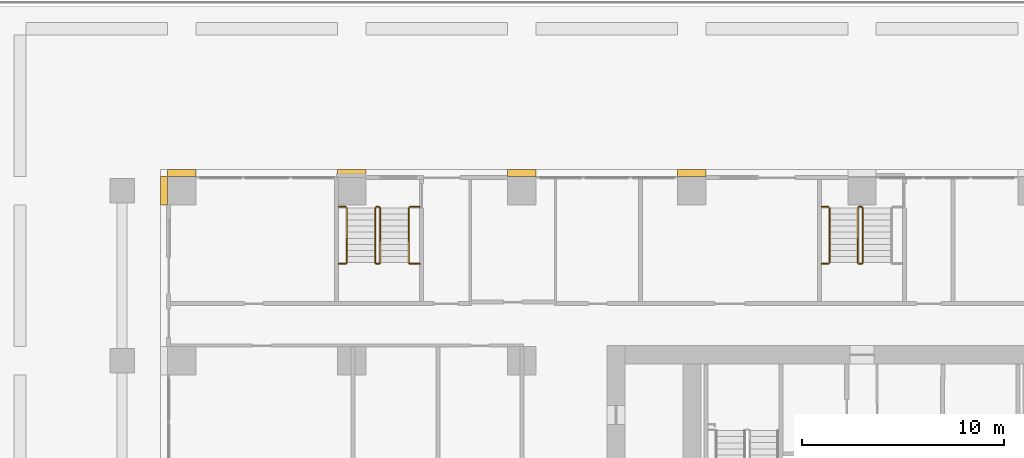
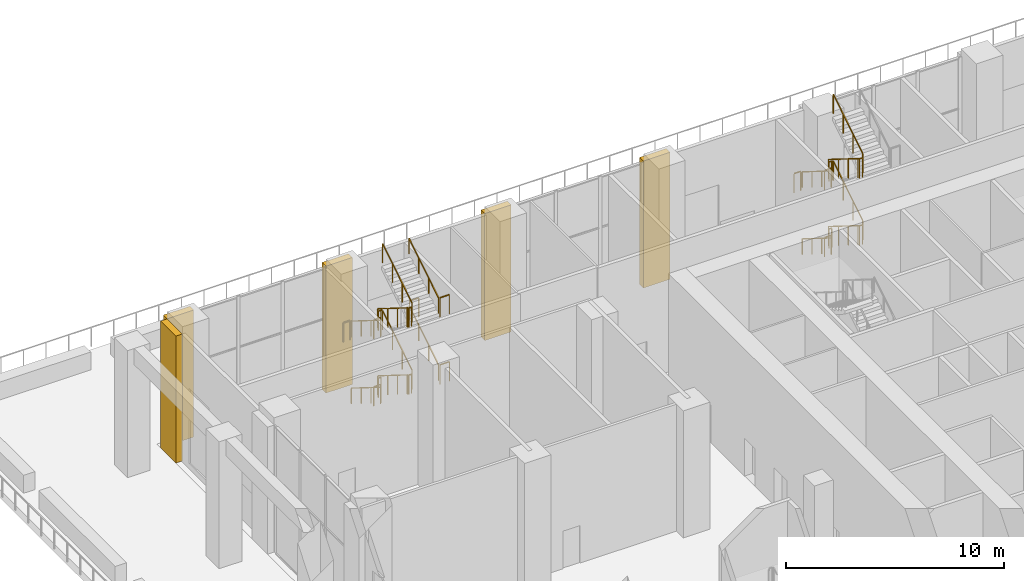
# One storey, part 50 of 53: 25 railings, 5 coverings.
"""IFC4 building model written with IfcOpenShell, lengths in metres."""

from ifc_helpers import new_model, si_unit, direction, frame, origin, origin_2d, place, context, subcontext, project, spatial, polyline, rectangle, outline, extrude, material, type_object, element, save


model = new_model("IFC4")

# Units and contexts
model_context = context("Model", 3, precision=1e-05, world=origin(), true_north=direction((0.0, 1.0)))
body_context = subcontext(model_context, "Body", "Model", "MODEL_VIEW")
ifc_project = project(units=[si_unit("LENGTHUNIT", "METRE"), si_unit("AREAUNIT", "SQUARE_METRE"), si_unit("VOLUMEUNIT", "CUBIC_METRE"), si_unit("PLANEANGLEUNIT", "RADIAN"), si_unit("MASSUNIT", "GRAM", prefix="KILO")], contexts=[model_context])

# Site, building, storey
site_placement = place(None, origin())
site = spatial("IfcSite", under=ifc_project, at=site_placement, CompositionType="ELEMENT")
building_placement = place(site_placement, origin())
building = spatial("IfcBuilding", under=site, at=building_placement, Name="Vermilion Ogive Tower", CompositionType="ELEMENT")
storey_placement = place(building_placement, origin())
storey = spatial("IfcBuildingStorey", under=building, at=storey_placement, Name="L00", CompositionType="ELEMENT", Elevation=0.0)

# Railings
ifc_material_1 = material(Name="Steel S355 painted", Category="steel")
railing_type_1 = type_object("IfcRailingType", Name="Stair guard 1100", PredefinedType="GUARDRAIL", material=ifc_material_1)
railing_1_placement = place(storey_placement, frame((-24.050048828125, 28.550048828125, 0.1875)))
element("IfcRailing", 1, at=railing_1_placement, inside=storey, type_object=railing_type_1, Name="L00 PS1 stair guard 1", PredefinedType="GUARDRAIL", context=body_context, shape_type="SweptSolid", body=[
    extrude(rectangle(XDim=0.048095703125, YDim=0.048095703125, at=origin_2d()), frame((0.0, 0.0, 1.076171875), z_axis=(0.0, -0.847993996163, 0.530005832488), x_axis=(1.0, 0.0, 0.0)), (0.0, 0.0, 1.0), 3.183837890625),
    extrude(rectangle(XDim=0.048095703125, YDim=0.048095703125, at=origin_2d()), frame((0.0, -2.699951171875, 2.763671875), z_axis=(0.707106781187, -0.707106781187, 0.0), x_axis=(0.707106781187, 0.707106781187, 0.0)), (0.0, 0.0, 1.0), 0.07080078125),
    extrude(rectangle(XDim=0.048095703125, YDim=0.048095703125, at=origin_2d()), frame((0.050048828125, -2.75, 2.763671875), z_axis=(1.0, 0.0, 0.0), x_axis=(0.0, 1.0, 0.0)), (0.0, 0.0, 1.0), 0.14990234375),
    extrude(rectangle(XDim=0.0419921875, YDim=0.0419921875, at=origin_2d()), origin(), (0.0, 0.0, 1.0), 1.052001953125),
    extrude(rectangle(XDim=0.0419921875, YDim=0.0419921875, at=origin_2d()), frame((0.0, -0.89990234375, 0.5625)), (0.0, 0.0, 1.0), 1.052001953125),
    extrude(rectangle(XDim=0.0419921875, YDim=0.0419921875, at=origin_2d()), frame((0.0, -1.800048828125, 1.125)), (0.0, 0.0, 1.0), 1.052001953125),
    extrude(rectangle(XDim=0.0419921875, YDim=0.0419921875, at=origin_2d()), frame((0.0, -2.699951171875, 1.6875)), (0.0, 0.0, 1.0), 1.052001953125),
    extrude(rectangle(XDim=0.0419921875, YDim=0.0419921875, at=origin_2d()), frame((0.050048828125, -2.75, 1.6875)), (0.0, 0.0, 1.0), 1.052001953125),
    extrude(rectangle(XDim=0.0419921875, YDim=0.0419921875, at=origin_2d()), frame((0.199951171875, -2.75, 1.6875)), (0.0, 0.0, 1.0), 1.052001953125),
])
railing_2_placement = place(storey_placement, frame((-23.800048828125, 25.85009765625, 2.0625)))
element("IfcRailing", 2, at=railing_2_placement, inside=storey, type_object=railing_type_1, Name="L00 PS1 stair guard 3", PredefinedType="GUARDRAIL", context=body_context, shape_type="SweptSolid", body=[
    extrude(rectangle(XDim=0.048095703125, YDim=0.048095703125, at=origin_2d()), frame((0.0, 0.0, 1.076171875), z_axis=(0.0, 0.847993996163, 0.530005832488), x_axis=(-1.0, 0.0, 0.0)), (0.0, 0.0, 1.0), 3.183837890625),
    extrude(rectangle(XDim=0.048095703125, YDim=0.048095703125, at=origin_2d()), frame((0.0, 2.699951171875, 2.763671875), z_axis=(-0.707106781187, 0.707106781187, 0.0), x_axis=(-0.707106781187, -0.707106781187, 0.0)), (0.0, 0.0, 1.0), 0.07080078125),
    extrude(rectangle(XDim=0.048095703125, YDim=0.048095703125, at=origin_2d()), frame((-0.050048828125, 2.75, 2.763671875), z_axis=(-1.0, 0.0, 0.0), x_axis=(0.0, -1.0, 0.0)), (0.0, 0.0, 1.0), 0.14990234375),
    extrude(rectangle(XDim=0.0419921875, YDim=0.0419921875, at=origin_2d()), origin(), (0.0, 0.0, 1.0), 1.052001953125),
    extrude(rectangle(XDim=0.0419921875, YDim=0.0419921875, at=origin_2d()), frame((0.0, 0.89990234375, 0.5625)), (0.0, 0.0, 1.0), 1.052001953125),
    extrude(rectangle(XDim=0.0419921875, YDim=0.0419921875, at=origin_2d()), frame((0.0, 1.800048828125, 1.125)), (0.0, 0.0, 1.0), 1.052001953125),
    extrude(rectangle(XDim=0.0419921875, YDim=0.0419921875, at=origin_2d()), frame((0.0, 2.699951171875, 1.6875)), (0.0, 0.0, 1.0), 1.052001953125),
    extrude(rectangle(XDim=0.0419921875, YDim=0.0419921875, at=origin_2d()), frame((-0.050048828125, 2.75, 1.6875)), (0.0, 0.0, 1.0), 1.052001953125),
    extrude(rectangle(XDim=0.0419921875, YDim=0.0419921875, at=origin_2d()), frame((-0.199951171875, 2.75, 1.6875)), (0.0, 0.0, 1.0), 1.052001953125),
])
railing_3_placement = place(storey_placement, frame((-24.050048828125, 28.550048828125, 3.9375)))
element("IfcRailing", 3, at=railing_3_placement, inside=storey, type_object=railing_type_1, Name="L00 PS1 stair guard 5", PredefinedType="GUARDRAIL", context=body_context, shape_type="SweptSolid", body=[
    extrude(rectangle(XDim=0.048095703125, YDim=0.048095703125, at=origin_2d()), frame((0.0, 0.0, 1.076171875), z_axis=(0.0, -0.847993996163, 0.530005832488), x_axis=(1.0, 0.0, 0.0)), (0.0, 0.0, 1.0), 3.183837890625),
    extrude(rectangle(XDim=0.048095703125, YDim=0.048095703125, at=origin_2d()), frame((0.0, -2.699951171875, 2.763671875), z_axis=(0.707106781187, -0.707106781187, 0.0), x_axis=(0.707106781187, 0.707106781187, 0.0)), (0.0, 0.0, 1.0), 0.07080078125),
    extrude(rectangle(XDim=0.048095703125, YDim=0.048095703125, at=origin_2d()), frame((0.050048828125, -2.75, 2.763671875), z_axis=(1.0, 0.0, 0.0), x_axis=(0.0, 1.0, 0.0)), (0.0, 0.0, 1.0), 0.14990234375),
    extrude(rectangle(XDim=0.0419921875, YDim=0.0419921875, at=origin_2d()), origin(), (0.0, 0.0, 1.0), 1.052001953125),
    extrude(rectangle(XDim=0.0419921875, YDim=0.0419921875, at=origin_2d()), frame((0.0, -0.89990234375, 0.5625)), (0.0, 0.0, 1.0), 1.052001953125),
    extrude(rectangle(XDim=0.0419921875, YDim=0.0419921875, at=origin_2d()), frame((0.0, -1.800048828125, 1.125)), (0.0, 0.0, 1.0), 1.052001953125),
    extrude(rectangle(XDim=0.0419921875, YDim=0.0419921875, at=origin_2d()), frame((0.0, -2.699951171875, 1.6875)), (0.0, 0.0, 1.0), 1.052001953125),
    extrude(rectangle(XDim=0.0419921875, YDim=0.0419921875, at=origin_2d()), frame((0.050048828125, -2.75, 1.6875)), (0.0, 0.0, 1.0), 1.052001953125),
    extrude(rectangle(XDim=0.0419921875, YDim=0.0419921875, at=origin_2d()), frame((0.199951171875, -2.75, 1.6875)), (0.0, 0.0, 1.0), 1.052001953125),
])
railing_4_placement = place(storey_placement, frame((-23.800048828125, 25.85009765625, 5.8125)))
element("IfcRailing", 4, at=railing_4_placement, inside=storey, type_object=railing_type_1, Name="L00 PS1 stair guard 7", PredefinedType="GUARDRAIL", context=body_context, shape_type="SweptSolid", body=[
    extrude(rectangle(XDim=0.048095703125, YDim=0.048095703125, at=origin_2d()), frame((0.0, 0.0, 1.076171875), z_axis=(0.0, 0.847993996163, 0.530005832488), x_axis=(-1.0, 0.0, 0.0)), (0.0, 0.0, 1.0), 3.183837890625),
    extrude(rectangle(XDim=0.0419921875, YDim=0.0419921875, at=origin_2d()), origin(), (0.0, 0.0, 1.0), 1.052001953125),
    extrude(rectangle(XDim=0.0419921875, YDim=0.0419921875, at=origin_2d()), frame((0.0, 0.89990234375, 0.5625)), (0.0, 0.0, 1.0), 1.052001953125),
    extrude(rectangle(XDim=0.0419921875, YDim=0.0419921875, at=origin_2d()), frame((0.0, 1.800048828125, 1.125)), (0.0, 0.0, 1.0), 1.052001953125),
    extrude(rectangle(XDim=0.0419921875, YDim=0.0419921875, at=origin_2d()), frame((0.0, 2.699951171875, 1.6875)), (0.0, 0.0, 1.0), 1.052001953125),
])
railing_5_placement = place(storey_placement, frame((-24.0, 28.60009765625, 0.0)))
element("IfcRailing", 5, at=railing_5_placement, inside=storey, type_object=railing_type_1, Name="L00 PS1 stair guard 8", PredefinedType="GUARDRAIL", context=body_context, shape_type="SweptSolid", body=[
    extrude(rectangle(XDim=0.048095703125, YDim=0.048095703125, at=origin_2d()), frame((0.0, 0.0, 1.076171875), z_axis=(1.0, 0.0, 0.0), x_axis=(0.0, 1.0, 0.0)), (0.0, 0.0, 1.0), 0.14990234375),
    extrude(rectangle(XDim=0.0419921875, YDim=0.0419921875, at=origin_2d()), origin(), (0.0, 0.0, 1.0), 1.052001953125),
    extrude(rectangle(XDim=0.0419921875, YDim=0.0419921875, at=origin_2d()), frame((0.14990234375, 0.0, 0.0)), (0.0, 0.0, 1.0), 1.052001953125),
])
railing_6_placement = place(storey_placement, frame((-0.199951171875, 28.550048828125, 0.1875)))
element("IfcRailing", 6, at=railing_6_placement, inside=storey, type_object=railing_type_1, Name="L00 PS5 stair guard 1", PredefinedType="GUARDRAIL", context=body_context, shape_type="SweptSolid", body=[
    extrude(rectangle(XDim=0.048095703125, YDim=0.048095703125, at=origin_2d()), frame((0.0, 0.0, 1.076171875), z_axis=(0.0, -0.847993996163, 0.530005832488), x_axis=(1.0, 0.0, 0.0)), (0.0, 0.0, 1.0), 3.183837890625),
    extrude(rectangle(XDim=0.048095703125, YDim=0.048095703125, at=origin_2d()), frame((0.0, -2.699951171875, 2.763671875), z_axis=(0.707106781187, -0.707106781187, 0.0), x_axis=(0.707106781187, 0.707106781187, 0.0)), (0.0, 0.0, 1.0), 0.07080078125),
    extrude(rectangle(XDim=0.048095703125, YDim=0.048095703125, at=origin_2d()), frame((0.050048828125, -2.75, 2.763671875), z_axis=(1.0, 0.0, 0.0), x_axis=(0.0, 1.0, 0.0)), (0.0, 0.0, 1.0), 0.14990234375),
    extrude(rectangle(XDim=0.0419921875, YDim=0.0419921875, at=origin_2d()), origin(), (0.0, 0.0, 1.0), 1.052001953125),
    extrude(rectangle(XDim=0.0419921875, YDim=0.0419921875, at=origin_2d()), frame((0.0, -0.89990234375, 0.5625)), (0.0, 0.0, 1.0), 1.052001953125),
    extrude(rectangle(XDim=0.0419921875, YDim=0.0419921875, at=origin_2d()), frame((0.0, -1.800048828125, 1.125)), (0.0, 0.0, 1.0), 1.052001953125),
    extrude(rectangle(XDim=0.0419921875, YDim=0.0419921875, at=origin_2d()), frame((0.0, -2.699951171875, 1.6875)), (0.0, 0.0, 1.0), 1.052001953125),
    extrude(rectangle(XDim=0.0419921875, YDim=0.0419921875, at=origin_2d()), frame((0.050048828125, -2.75, 1.6875)), (0.0, 0.0, 1.0), 1.052001953125),
    extrude(rectangle(XDim=0.0419921875, YDim=0.0419921875, at=origin_2d()), frame((0.199951171875, -2.75, 1.6875)), (0.0, 0.0, 1.0), 1.052001953125),
])
railing_7_placement = place(storey_placement, frame((0.050048828125, 25.85009765625, 2.0625)))
element("IfcRailing", 7, at=railing_7_placement, inside=storey, type_object=railing_type_1, Name="L00 PS5 stair guard 3", PredefinedType="GUARDRAIL", context=body_context, shape_type="SweptSolid", body=[
    extrude(rectangle(XDim=0.048095703125, YDim=0.048095703125, at=origin_2d()), frame((0.0, 0.0, 1.076171875), z_axis=(0.0, 0.847993996163, 0.530005832488), x_axis=(-1.0, 0.0, 0.0)), (0.0, 0.0, 1.0), 3.183837890625),
    extrude(rectangle(XDim=0.048095703125, YDim=0.048095703125, at=origin_2d()), frame((0.0, 2.699951171875, 2.763671875), z_axis=(-0.707106781187, 0.707106781187, 0.0), x_axis=(-0.707106781187, -0.707106781187, 0.0)), (0.0, 0.0, 1.0), 0.07080078125),
    extrude(rectangle(XDim=0.048095703125, YDim=0.048095703125, at=origin_2d()), frame((-0.050048828125, 2.75, 2.763671875), z_axis=(-1.0, 0.0, 0.0), x_axis=(0.0, -1.0, 0.0)), (0.0, 0.0, 1.0), 0.14990234375),
    extrude(rectangle(XDim=0.0419921875, YDim=0.0419921875, at=origin_2d()), origin(), (0.0, 0.0, 1.0), 1.052001953125),
    extrude(rectangle(XDim=0.0419921875, YDim=0.0419921875, at=origin_2d()), frame((0.0, 0.89990234375, 0.5625)), (0.0, 0.0, 1.0), 1.052001953125),
    extrude(rectangle(XDim=0.0419921875, YDim=0.0419921875, at=origin_2d()), frame((0.0, 1.800048828125, 1.125)), (0.0, 0.0, 1.0), 1.052001953125),
    extrude(rectangle(XDim=0.0419921875, YDim=0.0419921875, at=origin_2d()), frame((0.0, 2.699951171875, 1.6875)), (0.0, 0.0, 1.0), 1.052001953125),
    extrude(rectangle(XDim=0.0419921875, YDim=0.0419921875, at=origin_2d()), frame((-0.050048828125, 2.75, 1.6875)), (0.0, 0.0, 1.0), 1.052001953125),
    extrude(rectangle(XDim=0.0419921875, YDim=0.0419921875, at=origin_2d()), frame((-0.199951171875, 2.75, 1.6875)), (0.0, 0.0, 1.0), 1.052001953125),
])
railing_8_placement = place(storey_placement, frame((-0.199951171875, 28.550048828125, 3.9375)))
element("IfcRailing", 8, at=railing_8_placement, inside=storey, type_object=railing_type_1, Name="L00 PS5 stair guard 5", PredefinedType="GUARDRAIL", context=body_context, shape_type="SweptSolid", body=[
    extrude(rectangle(XDim=0.048095703125, YDim=0.048095703125, at=origin_2d()), frame((0.0, 0.0, 1.076171875), z_axis=(0.0, -0.847993996163, 0.530005832488), x_axis=(1.0, 0.0, 0.0)), (0.0, 0.0, 1.0), 3.183837890625),
    extrude(rectangle(XDim=0.048095703125, YDim=0.048095703125, at=origin_2d()), frame((0.0, -2.699951171875, 2.763671875), z_axis=(0.707106781187, -0.707106781187, 0.0), x_axis=(0.707106781187, 0.707106781187, 0.0)), (0.0, 0.0, 1.0), 0.07080078125),
    extrude(rectangle(XDim=0.048095703125, YDim=0.048095703125, at=origin_2d()), frame((0.050048828125, -2.75, 2.763671875), z_axis=(1.0, 0.0, 0.0), x_axis=(0.0, 1.0, 0.0)), (0.0, 0.0, 1.0), 0.14990234375),
    extrude(rectangle(XDim=0.0419921875, YDim=0.0419921875, at=origin_2d()), origin(), (0.0, 0.0, 1.0), 1.052001953125),
    extrude(rectangle(XDim=0.0419921875, YDim=0.0419921875, at=origin_2d()), frame((0.0, -0.89990234375, 0.5625)), (0.0, 0.0, 1.0), 1.052001953125),
    extrude(rectangle(XDim=0.0419921875, YDim=0.0419921875, at=origin_2d()), frame((0.0, -1.800048828125, 1.125)), (0.0, 0.0, 1.0), 1.052001953125),
    extrude(rectangle(XDim=0.0419921875, YDim=0.0419921875, at=origin_2d()), frame((0.0, -2.699951171875, 1.6875)), (0.0, 0.0, 1.0), 1.052001953125),
    extrude(rectangle(XDim=0.0419921875, YDim=0.0419921875, at=origin_2d()), frame((0.050048828125, -2.75, 1.6875)), (0.0, 0.0, 1.0), 1.052001953125),
    extrude(rectangle(XDim=0.0419921875, YDim=0.0419921875, at=origin_2d()), frame((0.199951171875, -2.75, 1.6875)), (0.0, 0.0, 1.0), 1.052001953125),
])
railing_9_placement = place(storey_placement, frame((0.050048828125, 25.85009765625, 5.8125)))
element("IfcRailing", 9, at=railing_9_placement, inside=storey, type_object=railing_type_1, Name="L00 PS5 stair guard 7", PredefinedType="GUARDRAIL", context=body_context, shape_type="SweptSolid", body=[
    extrude(rectangle(XDim=0.048095703125, YDim=0.048095703125, at=origin_2d()), frame((0.0, 0.0, 1.076171875), z_axis=(0.0, 0.847993996163, 0.530005832488), x_axis=(-1.0, 0.0, 0.0)), (0.0, 0.0, 1.0), 3.183837890625),
    extrude(rectangle(XDim=0.0419921875, YDim=0.0419921875, at=origin_2d()), origin(), (0.0, 0.0, 1.0), 1.052001953125),
    extrude(rectangle(XDim=0.0419921875, YDim=0.0419921875, at=origin_2d()), frame((0.0, 0.89990234375, 0.5625)), (0.0, 0.0, 1.0), 1.052001953125),
    extrude(rectangle(XDim=0.0419921875, YDim=0.0419921875, at=origin_2d()), frame((0.0, 1.800048828125, 1.125)), (0.0, 0.0, 1.0), 1.052001953125),
    extrude(rectangle(XDim=0.0419921875, YDim=0.0419921875, at=origin_2d()), frame((0.0, 2.699951171875, 1.6875)), (0.0, 0.0, 1.0), 1.052001953125),
])
railing_10_placement = place(storey_placement, frame((-0.14990234375, 28.60009765625, 0.0)))
element("IfcRailing", 10, at=railing_10_placement, inside=storey, type_object=railing_type_1, Name="L00 PS5 stair guard 8", PredefinedType="GUARDRAIL", context=body_context, shape_type="SweptSolid", body=[
    extrude(rectangle(XDim=0.048095703125, YDim=0.048095703125, at=origin_2d()), frame((0.0, 0.0, 1.076171875), z_axis=(1.0, 0.0, 0.0), x_axis=(0.0, 1.0, 0.0)), (0.0, 0.0, 1.0), 0.14990234375),
    extrude(rectangle(XDim=0.0419921875, YDim=0.0419921875, at=origin_2d()), origin(), (0.0, 0.0, 1.0), 1.052001953125),
    extrude(rectangle(XDim=0.0419921875, YDim=0.0419921875, at=origin_2d()), frame((0.14990234375, 0.0, 0.0)), (0.0, 0.0, 1.0), 1.052001953125),
])
railing_11_placement = place(storey_placement, frame((-25.849853515625, 25.800048828125, 1.875)))
element("IfcRailing", 11, at=railing_11_placement, inside=storey, type_object=railing_type_1, Name="L00 landing guard", PredefinedType="GUARDRAIL", context=body_context, shape_type="SweptSolid", body=[
    extrude(rectangle(XDim=0.048095703125, YDim=0.048095703125, at=origin_2d()), frame((0.0, 0.0, 1.076171875), z_axis=(1.0, 0.0, 0.0), x_axis=(0.0, 1.0, 0.0)), (0.0, 0.0, 1.0), 0.349853515625),
    extrude(rectangle(XDim=0.0419921875, YDim=0.0419921875, at=origin_2d()), origin(), (0.0, 0.0, 1.0), 1.052001953125),
    extrude(rectangle(XDim=0.0419921875, YDim=0.0419921875, at=origin_2d()), frame((0.349853515625, 0.0, 0.0)), (0.0, 0.0, 1.0), 1.052001953125),
])
railing_12_placement = place(storey_placement, frame((-22.35009765625, 25.800048828125, 1.875)))
element("IfcRailing", 12, at=railing_12_placement, inside=storey, type_object=railing_type_1, Name="L00 landing guard", PredefinedType="GUARDRAIL", context=body_context, shape_type="SweptSolid", body=[
    extrude(rectangle(XDim=0.048095703125, YDim=0.048095703125, at=origin_2d()), frame((0.0, 0.0, 1.076171875), z_axis=(1.0, 0.0, 0.0), x_axis=(0.0, 1.0, 0.0)), (0.0, 0.0, 1.0), 0.5),
    extrude(rectangle(XDim=0.0419921875, YDim=0.0419921875, at=origin_2d()), origin(), (0.0, 0.0, 1.0), 1.052001953125),
    extrude(rectangle(XDim=0.0419921875, YDim=0.0419921875, at=origin_2d()), frame((0.5, 0.0, 0.0)), (0.0, 0.0, 1.0), 1.052001953125),
])
railing_13_placement = place(storey_placement, frame((-25.849853515625, 28.60009765625, 3.75)))
element("IfcRailing", 13, at=railing_13_placement, inside=storey, type_object=railing_type_1, Name="L00 landing guard", PredefinedType="GUARDRAIL", context=body_context, shape_type="SweptSolid", body=[
    extrude(rectangle(XDim=0.048095703125, YDim=0.048095703125, at=origin_2d()), frame((0.0, 0.0, 1.076171875), z_axis=(1.0, 0.0, 0.0), x_axis=(0.0, 1.0, 0.0)), (0.0, 0.0, 1.0), 0.349853515625),
    extrude(rectangle(XDim=0.0419921875, YDim=0.0419921875, at=origin_2d()), origin(), (0.0, 0.0, 1.0), 1.052001953125),
    extrude(rectangle(XDim=0.0419921875, YDim=0.0419921875, at=origin_2d()), frame((0.349853515625, 0.0, 0.0)), (0.0, 0.0, 1.0), 1.052001953125),
])
railing_14_placement = place(storey_placement, frame((-22.35009765625, 28.60009765625, 3.75)))
element("IfcRailing", 14, at=railing_14_placement, inside=storey, type_object=railing_type_1, Name="L00 landing guard", PredefinedType="GUARDRAIL", context=body_context, shape_type="SweptSolid", body=[
    extrude(rectangle(XDim=0.048095703125, YDim=0.048095703125, at=origin_2d()), frame((0.0, 0.0, 1.076171875), z_axis=(1.0, 0.0, 0.0), x_axis=(0.0, 1.0, 0.0)), (0.0, 0.0, 1.0), 0.5),
    extrude(rectangle(XDim=0.0419921875, YDim=0.0419921875, at=origin_2d()), origin(), (0.0, 0.0, 1.0), 1.052001953125),
    extrude(rectangle(XDim=0.0419921875, YDim=0.0419921875, at=origin_2d()), frame((0.5, 0.0, 0.0)), (0.0, 0.0, 1.0), 1.052001953125),
])
railing_15_placement = place(storey_placement, frame((-25.849853515625, 25.800048828125, 5.625)))
element("IfcRailing", 15, at=railing_15_placement, inside=storey, type_object=railing_type_1, Name="L00 landing guard", PredefinedType="GUARDRAIL", context=body_context, shape_type="SweptSolid", body=[
    extrude(rectangle(XDim=0.048095703125, YDim=0.048095703125, at=origin_2d()), frame((0.0, 0.0, 1.076171875), z_axis=(1.0, 0.0, 0.0), x_axis=(0.0, 1.0, 0.0)), (0.0, 0.0, 1.0), 0.349853515625),
    extrude(rectangle(XDim=0.0419921875, YDim=0.0419921875, at=origin_2d()), origin(), (0.0, 0.0, 1.0), 1.052001953125),
    extrude(rectangle(XDim=0.0419921875, YDim=0.0419921875, at=origin_2d()), frame((0.349853515625, 0.0, 0.0)), (0.0, 0.0, 1.0), 1.052001953125),
])
railing_16_placement = place(storey_placement, frame((-22.35009765625, 25.800048828125, 5.625)))
element("IfcRailing", 16, at=railing_16_placement, inside=storey, type_object=railing_type_1, Name="L00 landing guard", PredefinedType="GUARDRAIL", context=body_context, shape_type="SweptSolid", body=[
    extrude(rectangle(XDim=0.048095703125, YDim=0.048095703125, at=origin_2d()), frame((0.0, 0.0, 1.076171875), z_axis=(1.0, 0.0, 0.0), x_axis=(0.0, 1.0, 0.0)), (0.0, 0.0, 1.0), 0.5),
    extrude(rectangle(XDim=0.0419921875, YDim=0.0419921875, at=origin_2d()), origin(), (0.0, 0.0, 1.0), 1.052001953125),
    extrude(rectangle(XDim=0.0419921875, YDim=0.0419921875, at=origin_2d()), frame((0.5, 0.0, 0.0)), (0.0, 0.0, 1.0), 1.052001953125),
])
for number, where, name in (
    (17, (-2.0, 25.800048828125, 1.875), "L00 landing guard"),
    (18, (-2.0, 28.60009765625, 3.75), "L00 landing guard"),
    (19, (-2.0, 25.800048828125, 5.625), "L00 landing guard"),
):
    element("IfcRailing", number, at=place(storey_placement, frame(where)), inside=storey, type_object=railing_type_1, Name=name, PredefinedType="GUARDRAIL", context=body_context, shape_type="SweptSolid", body=[
        extrude(rectangle(XDim=0.048095703125, YDim=0.048095703125, at=origin_2d()), frame((0.0, 0.0, 1.076171875), z_axis=(1.0, 0.0, 0.0), x_axis=(0.0, 1.0, 0.0)), (0.0, 0.0, 1.0), 0.35009765625),
        extrude(rectangle(XDim=0.0419921875, YDim=0.0419921875, at=origin_2d()), origin(), (0.0, 0.0, 1.0), 1.052001953125),
        extrude(rectangle(XDim=0.0419921875, YDim=0.0419921875, at=origin_2d()), frame((0.35009765625, 0.0, 0.0)), (0.0, 0.0, 1.0), 1.052001953125),
    ])
ifc_material_2 = material(Name="Stainless steel", Category="steel")
railing_type_2 = type_object("IfcRailingType", Name="Stair handrail 900", PredefinedType="HANDRAIL", material=ifc_material_2)
railing_17_placement = place(storey_placement, frame((-25.449951171875, 28.550048828125, 0.1875)))
element("IfcRailing", 20, at=railing_17_placement, inside=storey, type_object=railing_type_2, Name="L00 PS1 stair handrail 1", PredefinedType="HANDRAIL", context=body_context, shape_type="SweptSolid", body=[
    extrude(rectangle(XDim=0.048095703125, YDim=0.048095703125, at=origin_2d()), frame((0.0, 0.0, 0.8759765625), z_axis=(0.0, -0.847993996163, 0.530005832488), x_axis=(1.0, 0.0, 0.0)), (0.0, 0.0, 1.0), 3.183837890625),
    extrude(rectangle(XDim=0.0419921875, YDim=0.0419921875, at=origin_2d()), origin(), (0.0, 0.0, 1.0), 0.851806640625),
    extrude(rectangle(XDim=0.0419921875, YDim=0.0419921875, at=origin_2d()), frame((0.0, -0.89990234375, 0.5625)), (0.0, 0.0, 1.0), 0.851806640625),
    extrude(rectangle(XDim=0.0419921875, YDim=0.0419921875, at=origin_2d()), frame((0.0, -1.800048828125, 1.125)), (0.0, 0.0, 1.0), 0.851806640625),
    extrude(rectangle(XDim=0.0419921875, YDim=0.0419921875, at=origin_2d()), frame((0.0, -2.699951171875, 1.6875)), (0.0, 0.0, 1.0), 0.851806640625),
])
railing_18_placement = place(storey_placement, frame((-22.39990234375, 25.85009765625, 2.0625)))
element("IfcRailing", 21, at=railing_18_placement, inside=storey, type_object=railing_type_2, Name="L00 PS1 stair handrail 2", PredefinedType="HANDRAIL", context=body_context, shape_type="SweptSolid", body=[
    extrude(rectangle(XDim=0.048095703125, YDim=0.048095703125, at=origin_2d()), frame((0.0, 0.0, 0.8759765625), z_axis=(0.0, 0.847993996163, 0.530005832488), x_axis=(-1.0, 0.0, 0.0)), (0.0, 0.0, 1.0), 3.183837890625),
    extrude(rectangle(XDim=0.0419921875, YDim=0.0419921875, at=origin_2d()), origin(), (0.0, 0.0, 1.0), 0.851806640625),
    extrude(rectangle(XDim=0.0419921875, YDim=0.0419921875, at=origin_2d()), frame((0.0, 0.89990234375, 0.5625)), (0.0, 0.0, 1.0), 0.851806640625),
    extrude(rectangle(XDim=0.0419921875, YDim=0.0419921875, at=origin_2d()), frame((0.0, 1.800048828125, 1.125)), (0.0, 0.0, 1.0), 0.851806640625),
    extrude(rectangle(XDim=0.0419921875, YDim=0.0419921875, at=origin_2d()), frame((0.0, 2.699951171875, 1.6875)), (0.0, 0.0, 1.0), 0.851806640625),
])
railing_19_placement = place(storey_placement, frame((-25.449951171875, 28.550048828125, 3.9375)))
element("IfcRailing", 22, at=railing_19_placement, inside=storey, type_object=railing_type_2, Name="L00 PS1 stair handrail 3", PredefinedType="HANDRAIL", context=body_context, shape_type="SweptSolid", body=[
    extrude(rectangle(XDim=0.048095703125, YDim=0.048095703125, at=origin_2d()), frame((0.0, 0.0, 0.8759765625), z_axis=(0.0, -0.847993996163, 0.530005832488), x_axis=(1.0, 0.0, 0.0)), (0.0, 0.0, 1.0), 3.183837890625),
    extrude(rectangle(XDim=0.0419921875, YDim=0.0419921875, at=origin_2d()), origin(), (0.0, 0.0, 1.0), 0.851806640625),
    extrude(rectangle(XDim=0.0419921875, YDim=0.0419921875, at=origin_2d()), frame((0.0, -0.89990234375, 0.5625)), (0.0, 0.0, 1.0), 0.851806640625),
    extrude(rectangle(XDim=0.0419921875, YDim=0.0419921875, at=origin_2d()), frame((0.0, -1.800048828125, 1.125)), (0.0, 0.0, 1.0), 0.851806640625),
    extrude(rectangle(XDim=0.0419921875, YDim=0.0419921875, at=origin_2d()), frame((0.0, -2.699951171875, 1.6875)), (0.0, 0.0, 1.0), 0.851806640625),
])
railing_20_placement = place(storey_placement, frame((-22.39990234375, 25.85009765625, 5.8125)))
element("IfcRailing", 23, at=railing_20_placement, inside=storey, type_object=railing_type_2, Name="L00 PS1 stair handrail 4", PredefinedType="HANDRAIL", context=body_context, shape_type="SweptSolid", body=[
    extrude(rectangle(XDim=0.048095703125, YDim=0.048095703125, at=origin_2d()), frame((0.0, 0.0, 0.8759765625), z_axis=(0.0, 0.847993996163, 0.530005832488), x_axis=(-1.0, 0.0, 0.0)), (0.0, 0.0, 1.0), 3.183837890625),
    extrude(rectangle(XDim=0.0419921875, YDim=0.0419921875, at=origin_2d()), origin(), (0.0, 0.0, 1.0), 0.851806640625),
    extrude(rectangle(XDim=0.0419921875, YDim=0.0419921875, at=origin_2d()), frame((0.0, 0.89990234375, 0.5625)), (0.0, 0.0, 1.0), 0.851806640625),
    extrude(rectangle(XDim=0.0419921875, YDim=0.0419921875, at=origin_2d()), frame((0.0, 1.800048828125, 1.125)), (0.0, 0.0, 1.0), 0.851806640625),
    extrude(rectangle(XDim=0.0419921875, YDim=0.0419921875, at=origin_2d()), frame((0.0, 2.699951171875, 1.6875)), (0.0, 0.0, 1.0), 0.851806640625),
])
for number, where, name in (
    (24, (-1.60009765625, 28.550048828125, 0.1875), "L00 PS5 stair handrail 1"),
    (25, (-1.60009765625, 28.550048828125, 3.9375), "L00 PS5 stair handrail 3"),
):
    element("IfcRailing", number, at=place(storey_placement, frame(where)), inside=storey, type_object=railing_type_2, Name=name, PredefinedType="HANDRAIL", context=body_context, shape_type="SweptSolid", body=[
        extrude(rectangle(XDim=0.048095703125, YDim=0.048095703125, at=origin_2d()), frame((0.0, 0.0, 0.8759765625), z_axis=(0.0, -0.847993996163, 0.530005832488), x_axis=(1.0, 0.0, 0.0)), (0.0, 0.0, 1.0), 3.183837890625),
        extrude(rectangle(XDim=0.0419921875, YDim=0.0419921875, at=origin_2d()), origin(), (0.0, 0.0, 1.0), 0.851806640625),
        extrude(rectangle(XDim=0.0419921875, YDim=0.0419921875, at=origin_2d()), frame((0.0, -0.89990234375, 0.5625)), (0.0, 0.0, 1.0), 0.851806640625),
        extrude(rectangle(XDim=0.0419921875, YDim=0.0419921875, at=origin_2d()), frame((0.0, -1.800048828125, 1.125)), (0.0, 0.0, 1.0), 0.851806640625),
        extrude(rectangle(XDim=0.0419921875, YDim=0.0419921875, at=origin_2d()), frame((0.0, -2.699951171875, 1.6875)), (0.0, 0.0, 1.0), 0.851806640625),
    ])

# Coverings
ifc_material_3 = material(Name="Stone cladding", Category="masonry")
covering_type = type_object("IfcCoveringType", Name="Stone pier", PredefinedType="CLADDING", material=ifc_material_3)
covering_1_placement = place(storey_placement, origin())
element("IfcCovering", 26, at=covering_1_placement, inside=storey, type_object=covering_type, Name="Stone pier P-084+294", PredefinedType="CLADDING", context=body_context, shape_type="SweptSolid", body=[
    extrude(outline(polyline([(-9.10009765625, 30.10009765625), (-9.10009765625, 30.10009765625), (-9.10009765625, 30.449951171875), (-7.699951171875, 30.449951171875), (-7.699951171875, 30.10009765625), (-7.699951171875, 30.10009765625), (-9.10009765625, 30.10009765625)])), origin(), (0.0, 0.0, 1.0), 7.10009765625),
])
covering_2_placement = place(storey_placement, origin())
element("IfcCovering", 27, at=covering_2_placement, inside=storey, type_object=covering_type, Name="Stone pier P-168+294", PredefinedType="CLADDING", context=body_context, shape_type="SweptSolid", body=[
    extrude(outline(polyline([(-17.5, 30.10009765625), (-17.5, 30.449951171875), (-16.10009765625, 30.449951171875), (-16.10009765625, 30.10009765625), (-17.5, 30.10009765625), (-17.5, 30.10009765625)])), origin(), (0.0, 0.0, 1.0), 7.10009765625),
])
covering_3_placement = place(storey_placement, origin())
element("IfcCovering", 28, at=covering_3_placement, inside=storey, type_object=covering_type, Name="Stone pier P-252+294", PredefinedType="CLADDING", context=body_context, shape_type="SweptSolid", body=[
    extrude(outline(polyline([(-25.89990234375, 30.10009765625), (-25.89990234375, 30.449951171875), (-24.5, 30.449951171875), (-24.5, 30.10009765625), (-24.5, 30.10009765625), (-25.89990234375, 30.10009765625)])), origin(), (0.0, 0.0, 1.0), 7.10009765625),
])
covering_4_placement = place(storey_placement, origin())
element("IfcCovering", 29, at=covering_4_placement, inside=storey, type_object=covering_type, Name="Stone pier P-336+294N", PredefinedType="CLADDING", context=body_context, shape_type="SweptSolid", body=[
    extrude(outline(polyline([(-34.300048828125, 30.449951171875), (-32.89990234375, 30.449951171875), (-32.89990234375, 30.10009765625), (-34.300048828125, 30.10009765625), (-34.300048828125, 30.449951171875)])), origin(), (0.0, 0.0, 1.0), 7.10009765625),
])
covering_5_placement = place(storey_placement, origin())
element("IfcCovering", 30, at=covering_5_placement, inside=storey, type_object=covering_type, Name="Stone pier P-336+294W", PredefinedType="CLADDING", context=body_context, shape_type="SweptSolid", body=[
    extrude(outline(polyline([(-34.64990234375, 30.10009765625), (-34.300048828125, 30.10009765625), (-34.300048828125, 28.699951171875), (-34.64990234375, 28.699951171875), (-34.64990234375, 30.10009765625)])), origin(), (0.0, 0.0, 1.0), 7.10009765625),
])

save(model, "model.ifc")
